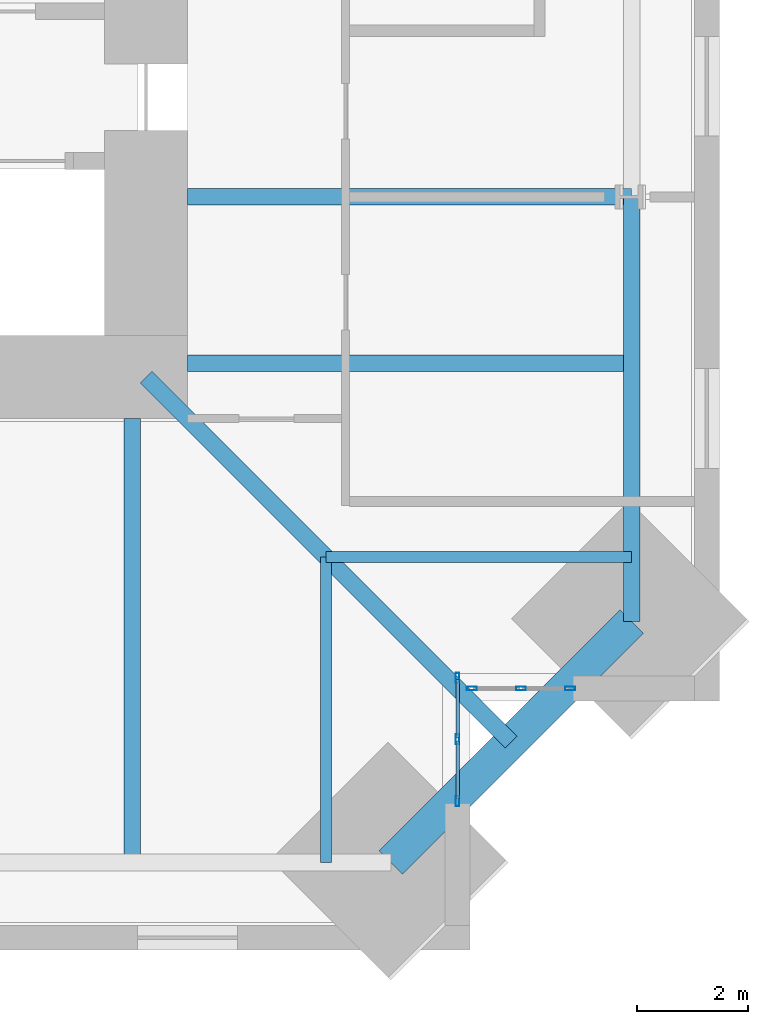
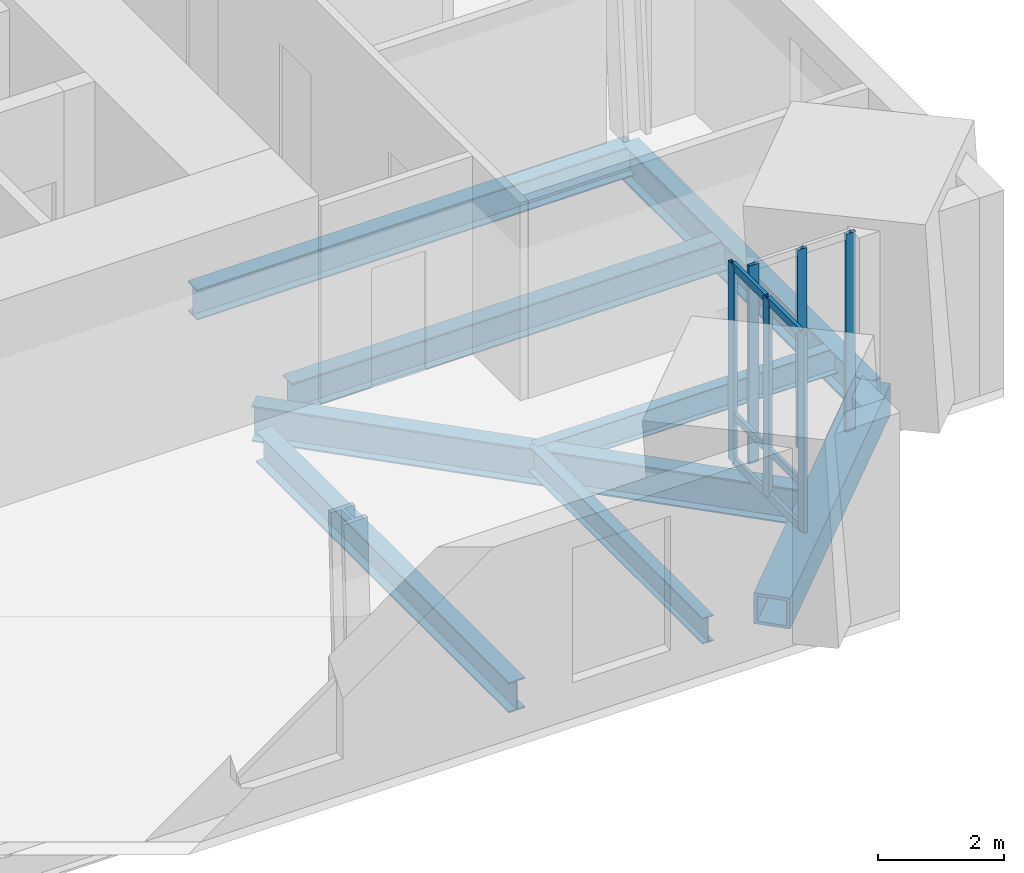
# One storey, part 4 of 16: 12 members, 8 beams, 2 elements without a shape of their own.
"""IFC4 building model written with IfcOpenShell, lengths in metres."""

from ifc_helpers import new_model, si_unit, direction, frame, origin, origin_2d, place, context, subcontext, project, spatial, hollow_rectangle, i_section, extrude, material, material_profile, profile_set, type_object, element, aggregate, save


model = new_model("IFC4")

# Units and contexts
model_context = context("Model", 3, precision=1e-05, world=origin(), true_north=direction((0.0, 1.0)))
body_context = subcontext(model_context, "Body", "Model", "MODEL_VIEW")
ifc_project = project(units=[si_unit("LENGTHUNIT", "METRE"), si_unit("AREAUNIT", "SQUARE_METRE"), si_unit("VOLUMEUNIT", "CUBIC_METRE"), si_unit("PLANEANGLEUNIT", "RADIAN"), si_unit("MASSUNIT", "GRAM", prefix="KILO")], contexts=[model_context])

# Site, building, storey
site_placement = place(None, origin())
site = spatial("IfcSite", under=ifc_project, at=site_placement, CompositionType="ELEMENT")
building_placement = place(site_placement, origin())
building = spatial("IfcBuilding", under=site, at=building_placement, Name="Peilmerk Tower", CompositionType="ELEMENT")
storey_placement = place(building_placement, frame((0.0, 0.0, 269.800048828125)))
storey = spatial("IfcBuildingStorey", under=building, at=storey_placement, Name="L60", CompositionType="ELEMENT", Elevation=269.800048828125)

# Beams
ifc_material_1 = material(Name="Steel S355", Category="steel")
ifc_material_profile_1 = material_profile(ifc_material_1, i_section(OverallWidth=0.300048828125, OverallDepth=0.68994140625, WebThickness=0.014404296875, FlangeThickness=0.027099609375, at=origin_2d()), Name="HEA 700")
ifc_profile_set_1 = profile_set([ifc_material_profile_1], Name="Steel S355")
beam_type_1 = type_object("IfcBeamType", Name="B16 HEA 700 floor beam", PredefinedType="BEAM", material=ifc_profile_set_1)
beam_1_placement = place(storey_placement, frame((11.25, -11.25, -0.51513671875), z_axis=(0.707106781187, -0.707106781187, 0.0), x_axis=(0.707106781187, 0.707106781187, 0.0)))
element("IfcBeam", 1, at=beam_1_placement, inside=storey, type_object=beam_type_1, Name="Corner girder L60", PredefinedType="BEAM", context=body_context, shape_type="SweptSolid", body=[
    extrude(i_section(OverallWidth=0.300048828125, OverallDepth=0.68994140625, WebThickness=0.014404296875, FlangeThickness=0.027099609375, at=origin_2d()), origin(), (0.0, 0.0, 1.0), 9.323486328125),
])
ifc_material_2 = material(Name="Steel S460", Category="steel")
ifc_material_profile_2 = material_profile(ifc_material_2, hollow_rectangle(XDim=0.60009765625, YDim=0.60009765625, WallThickness=0.06005859375, at=origin_2d()), Name="BOX 600x600x60")
ifc_profile_set_2 = profile_set([ifc_material_profile_2], Name="Steel S460")
beam_type_2 = type_object("IfcBeamType", Name="B20 BOX 600x600x60 notch beam", PredefinedType="SPANDREL", material=ifc_profile_set_2)
beam_2_placement = place(storey_placement, frame((20.017822265625, -15.667724609375, -0.469970703125), z_axis=(-0.707106781187, -0.707106781187, 0.0), x_axis=(0.707106781187, -0.707106781187, 0.0)))
element("IfcBeam", 2, at=beam_2_placement, inside=storey, type_object=beam_type_2, Name="Notch beam L60", PredefinedType="SPANDREL", context=body_context, shape_type="SweptSolid", body=[
    extrude(hollow_rectangle(XDim=0.60009765625, YDim=0.60009765625, WallThickness=0.06005859375, at=origin_2d()), origin(), (0.0, 0.0, 1.0), 6.15185546875),
])
ifc_material_profile_3 = material_profile(ifc_material_1, i_section(OverallWidth=0.300048828125, OverallDepth=0.590087890625, WebThickness=0.012939453125, FlangeThickness=0.02490234375, at=origin_2d()), Name="HEA 600")
ifc_profile_set_3 = profile_set([ifc_material_profile_3], Name="Steel S355")
beam_type_3 = type_object("IfcBeamType", Name="B27 HEA 600 floor beam", PredefinedType="BEAM", material=ifc_profile_set_3)
for number, where, z_axis, x_axis, name in (
    (3, (12.0, -11.0, -0.465087890625), (1.0, 0.0, 0.0), (0.0, 1.0, 0.0), "Floor beam L60"),
    (4, (12.0, -8.0, -0.465087890625), (1.0, 0.0, 0.0), (0.0, 1.0, 0.0), "Floor beam L60"),
    (5, (11.0, -12.0, -0.465087890625), (0.0, -1.0, 0.0), (1.0, 0.0, 0.0), "Floor beam L60"),
):
    element("IfcBeam", number, at=place(storey_placement, frame(where, z_axis=z_axis, x_axis=x_axis)), inside=storey, type_object=beam_type_3, Name=name, PredefinedType="BEAM", context=body_context, shape_type="SweptSolid", body=[
        extrude(i_section(OverallWidth=0.300048828125, OverallDepth=0.590087890625, WebThickness=0.012939453125, FlangeThickness=0.02490234375, at=origin_2d()), origin(), (0.0, 0.0, 1.0), 8.017822265625),
    ])
ifc_material_profile_4 = material_profile(ifc_material_1, i_section(OverallWidth=0.303955078125, OverallDepth=0.716064453125, WebThickness=0.02099609375, FlangeThickness=0.0400390625, at=origin_2d()), Name="HEM 700")
ifc_profile_set_4 = profile_set([ifc_material_profile_4], Name="Steel S355")
beam_type_4 = type_object("IfcBeamType", Name="B30 HEM 700 edge beam", PredefinedType="SPANDREL", material=ifc_profile_set_4)
beam_3_placement = place(storey_placement, frame((20.017822265625, -15.667724609375, -0.528076171875), z_axis=(0.0, 1.0, 0.0), x_axis=(-1.0, 0.0, 0.0)))
element("IfcBeam", 6, at=beam_3_placement, inside=storey, type_object=beam_type_4, Name="Edge beam L60", PredefinedType="SPANDREL", context=body_context, shape_type="SweptSolid", body=[
    extrude(i_section(OverallWidth=0.303955078125, OverallDepth=0.716064453125, WebThickness=0.02099609375, FlangeThickness=0.0400390625, at=origin_2d()), origin(), (0.0, 0.0, 1.0), 7.667724609375),
])
ifc_material_profile_5 = material_profile(ifc_material_1, i_section(OverallWidth=0.199951171875, OverallDepth=0.5, WebThickness=0.01025390625, FlangeThickness=0.01611328125, at=origin_2d()), Name="IPE 500")
ifc_profile_set_5 = profile_set([ifc_material_profile_5], Name="Steel S355")
beam_type_5 = type_object("IfcBeamType", Name="B32 IPE 500 floor beam", PredefinedType="BEAM", material=ifc_profile_set_5)
for number, where, z_axis, x_axis, name in (
    (7, (14.5, -14.5, -0.420166015625), (0.0, -1.0, 0.0), (1.0, 0.0, 0.0), "Floor beam L60"),
    (8, (14.5, -14.5, -0.420166015625), (1.0, 0.0, 0.0), (0.0, 1.0, 0.0), "Floor beam L60"),
):
    element("IfcBeam", number, at=place(storey_placement, frame(where, z_axis=z_axis, x_axis=x_axis)), inside=storey, type_object=beam_type_5, Name=name, PredefinedType="BEAM", context=body_context, shape_type="SweptSolid", body=[
        extrude(i_section(OverallWidth=0.199951171875, OverallDepth=0.5, WebThickness=0.01025390625, FlangeThickness=0.01611328125, at=origin_2d()), origin(), (0.0, 0.0, 1.0), 5.517822265625),
    ])

# Curtain wall, members
ifc_material_3 = material(Name="Aluminium stick curtain wall", Category="aluminium")
curtain_wall_type = type_object("IfcCurtainWallType", Name="CW4 stick curtain wall, 2250 module", PredefinedType="NOTDEFINED", material=ifc_material_3)
curtain_wall_1_placement = place(storey_placement, origin())
curtain_wall_1 = element("IfcCurtainWall", 9, at=curtain_wall_1_placement, inside=storey, type_object=curtain_wall_type, Name="Curtain wall CW4 SEA L60", PredefinedType="NOTDEFINED")
ifc_material_4 = material(Name="Aluminium EN AW-6063 T6", Category="aluminium")
ifc_material_profile_6 = material_profile(ifc_material_4, hollow_rectangle(XDim=0.06494140625, YDim=0.179931640625, WallThickness=0.0029296875, at=origin_2d()), Name="AL 180x65x3")
ifc_profile_set_6 = profile_set([ifc_material_profile_6], Name="Aluminium EN AW-6063 T6")
member_type_1 = type_object("IfcMemberType", Name="CW4-M AL 180x65x3 mullion", PredefinedType="MULLION", material=ifc_profile_set_6)
member_1_placement = place(storey_placement, frame((16.875, -16.6826171875, 0.0), z_axis=(0.0, 0.0, 1.0), x_axis=(1.0, 0.0, 0.0)))
member_1 = element("IfcMember", 10, at=member_1_placement, type_object=member_type_1, Name="CW4 mullion 1", PredefinedType="MULLION", context=body_context, shape_type="SweptSolid", body=[
    extrude(hollow_rectangle(XDim=0.06494140625, YDim=0.179931640625, WallThickness=0.0029296875, at=origin_2d()), origin(), (0.0, 0.0, 1.0), 3.829833984375),
])
member_2_placement = place(storey_placement, frame((16.875, -17.79443359375, 0.0), z_axis=(0.0, 0.0, 1.0), x_axis=(1.0, 0.0, 0.0)))
member_2 = element("IfcMember", 11, at=member_2_placement, type_object=member_type_1, Name="CW4 mullion 2", PredefinedType="MULLION", context=body_context, shape_type="SweptSolid", body=[
    extrude(hollow_rectangle(XDim=0.06494140625, YDim=0.179931640625, WallThickness=0.0029296875, at=origin_2d()), origin(), (0.0, 0.0, 1.0), 3.829833984375),
])
member_3_placement = place(storey_placement, frame((16.875, -18.90625, 0.0), z_axis=(0.0, 0.0, 1.0), x_axis=(1.0, 0.0, 0.0)))
member_3 = element("IfcMember", 12, at=member_3_placement, type_object=member_type_1, Name="CW4 mullion 3", PredefinedType="MULLION", context=body_context, shape_type="SweptSolid", body=[
    extrude(hollow_rectangle(XDim=0.06494140625, YDim=0.179931640625, WallThickness=0.0029296875, at=origin_2d()), origin(), (0.0, 0.0, 1.0), 3.829833984375),
])

curtain_wall_2_placement = place(storey_placement, origin())
curtain_wall_2 = element("IfcCurtainWall", 13, at=curtain_wall_2_placement, inside=storey, type_object=curtain_wall_type, Name="Curtain wall CW4 SEB L60", PredefinedType="NOTDEFINED")
member_4_placement = place(storey_placement, frame((17.132568359375, -16.875, 0.0), z_axis=(0.0, 0.0, 1.0), x_axis=(0.0, 1.0, 0.0)))
member_4 = element("IfcMember", 14, at=member_4_placement, type_object=member_type_1, Name="CW4 mullion 1", PredefinedType="MULLION", context=body_context, shape_type="SweptSolid", body=[
    extrude(hollow_rectangle(XDim=0.06494140625, YDim=0.179931640625, WallThickness=0.0029296875, at=origin_2d()), origin(), (0.0, 0.0, 1.0), 3.829833984375),
])
member_5_placement = place(storey_placement, frame((18.019287109375, -16.875, 0.0), z_axis=(0.0, 0.0, 1.0), x_axis=(0.0, 1.0, 0.0)))
member_5 = element("IfcMember", 15, at=member_5_placement, type_object=member_type_1, Name="CW4 mullion 2", PredefinedType="MULLION", context=body_context, shape_type="SweptSolid", body=[
    extrude(hollow_rectangle(XDim=0.06494140625, YDim=0.179931640625, WallThickness=0.0029296875, at=origin_2d()), origin(), (0.0, 0.0, 1.0), 3.829833984375),
])
member_6_placement = place(storey_placement, frame((18.90625, -16.875, 0.0), z_axis=(0.0, 0.0, 1.0), x_axis=(0.0, 1.0, 0.0)))
member_6 = element("IfcMember", 16, at=member_6_placement, type_object=member_type_1, Name="CW4 mullion 3", PredefinedType="MULLION", context=body_context, shape_type="SweptSolid", body=[
    extrude(hollow_rectangle(XDim=0.06494140625, YDim=0.179931640625, WallThickness=0.0029296875, at=origin_2d()), origin(), (0.0, 0.0, 1.0), 3.829833984375),
])
aggregate(curtain_wall_2, [member_4, member_5, member_6])

# Member
ifc_material_profile_7 = material_profile(ifc_material_4, hollow_rectangle(XDim=0.06494140625, YDim=0.14990234375, WallThickness=0.0029296875, at=origin_2d()), Name="AL 150x65x3")
ifc_profile_set_7 = profile_set([ifc_material_profile_7], Name="Aluminium EN AW-6063 T6")
member_type_2 = type_object("IfcMemberType", Name="CW4-T AL 150x65x3 transom", PredefinedType="USERDEFINED", material=ifc_profile_set_7)
member_7_placement = place(storey_placement, frame((16.875, -16.715087890625, 0.032470703125), z_axis=(0.0, -1.0, 0.0), x_axis=(1.0, 0.0, 0.0)))
member_7 = element("IfcMember", 17, at=member_7_placement, type_object=member_type_2, Name="CW4 transom 1.1", ObjectType="TRANSOM", PredefinedType="USERDEFINED", context=body_context, shape_type="SweptSolid", body=[
    extrude(hollow_rectangle(XDim=0.06494140625, YDim=0.14990234375, WallThickness=0.0029296875, at=origin_2d()), origin(), (0.0, 0.0, 1.0), 1.046630859375),
])

member_8_placement = place(storey_placement, frame((16.875, -16.715087890625, 0.89990234375), z_axis=(0.0, -1.0, 0.0), x_axis=(1.0, 0.0, 0.0)))
member_8 = element("IfcMember", 18, at=member_8_placement, type_object=member_type_2, Name="CW4 transom 1.2", ObjectType="TRANSOM", PredefinedType="USERDEFINED", context=body_context, shape_type="SweptSolid", body=[
    extrude(hollow_rectangle(XDim=0.06494140625, YDim=0.14990234375, WallThickness=0.0029296875, at=origin_2d()), origin(), (0.0, 0.0, 1.0), 1.046630859375),
])

member_9_placement = place(storey_placement, frame((16.875, -16.715087890625, 3.79736328125), z_axis=(0.0, -1.0, 0.0), x_axis=(1.0, 0.0, 0.0)))
member_9 = element("IfcMember", 19, at=member_9_placement, type_object=member_type_2, Name="CW4 transom 1.3", ObjectType="TRANSOM", PredefinedType="USERDEFINED", context=body_context, shape_type="SweptSolid", body=[
    extrude(hollow_rectangle(XDim=0.06494140625, YDim=0.14990234375, WallThickness=0.0029296875, at=origin_2d()), origin(), (0.0, 0.0, 1.0), 1.046630859375),
])

member_10_placement = place(storey_placement, frame((16.875, -17.826904296875, 0.032470703125), z_axis=(0.0, -1.0, 0.0), x_axis=(1.0, 0.0, 0.0)))
member_10 = element("IfcMember", 20, at=member_10_placement, type_object=member_type_2, Name="CW4 transom 2.1", ObjectType="TRANSOM", PredefinedType="USERDEFINED", context=body_context, shape_type="SweptSolid", body=[
    extrude(hollow_rectangle(XDim=0.06494140625, YDim=0.14990234375, WallThickness=0.0029296875, at=origin_2d()), origin(), (0.0, 0.0, 1.0), 1.046875),
])

member_11_placement = place(storey_placement, frame((16.875, -17.826904296875, 0.89990234375), z_axis=(0.0, -1.0, 0.0), x_axis=(1.0, 0.0, 0.0)))
member_11 = element("IfcMember", 21, at=member_11_placement, type_object=member_type_2, Name="CW4 transom 2.2", ObjectType="TRANSOM", PredefinedType="USERDEFINED", context=body_context, shape_type="SweptSolid", body=[
    extrude(hollow_rectangle(XDim=0.06494140625, YDim=0.14990234375, WallThickness=0.0029296875, at=origin_2d()), origin(), (0.0, 0.0, 1.0), 1.046875),
])

member_12_placement = place(storey_placement, frame((16.875, -17.826904296875, 3.79736328125), z_axis=(0.0, -1.0, 0.0), x_axis=(1.0, 0.0, 0.0)))
member_12 = element("IfcMember", 22, at=member_12_placement, type_object=member_type_2, Name="CW4 transom 2.3", ObjectType="TRANSOM", PredefinedType="USERDEFINED", context=body_context, shape_type="SweptSolid", body=[
    extrude(hollow_rectangle(XDim=0.06494140625, YDim=0.14990234375, WallThickness=0.0029296875, at=origin_2d()), origin(), (0.0, 0.0, 1.0), 1.046875),
])

aggregate(curtain_wall_1, [member_1, member_2, member_3, member_7, member_8, member_9, member_10, member_11, member_12])

save(model, "model.ifc")
